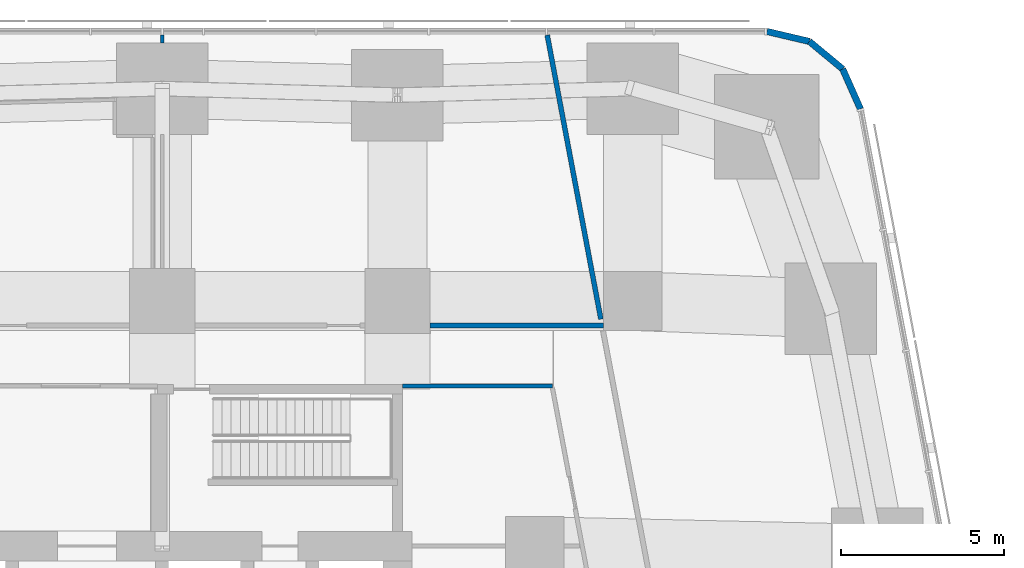
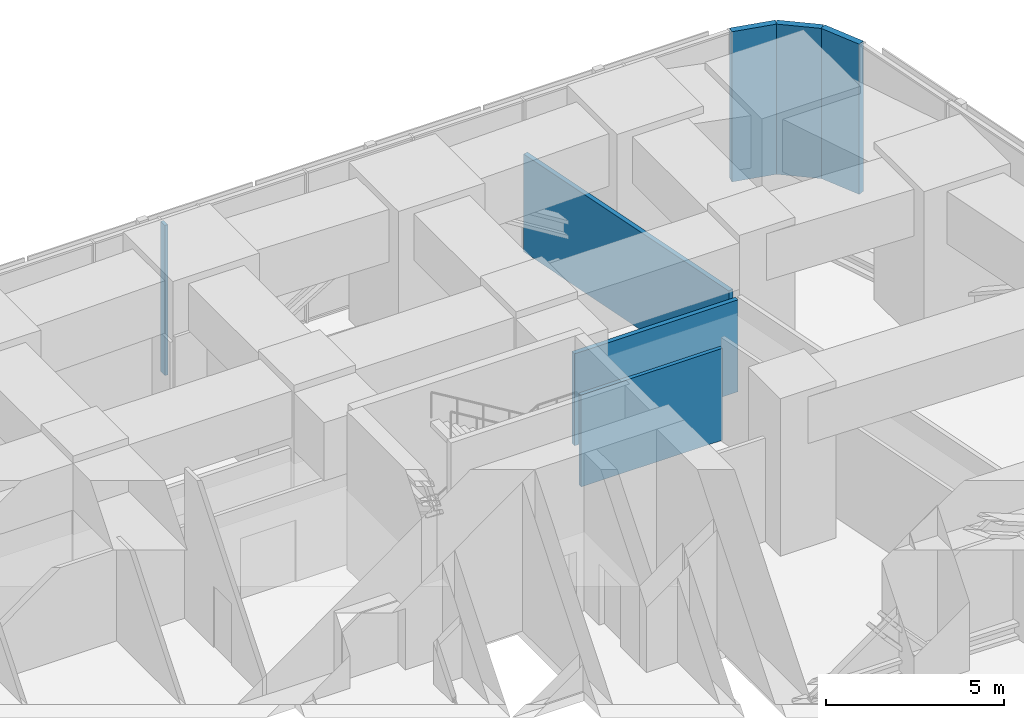
# One storey, part 17 of 20: 7 walls.
"""IFC4 building model written with IfcOpenShell, lengths in metres."""

from ifc_helpers import new_model, si_unit, direction, frame, frame_2d, origin, place, context, subcontext, project, spatial, rectangle, extrude, material, layer, layer_set, type_object, element, save


model = new_model("IFC4")

# Units and contexts
model_context = context("Model", 3, precision=1e-05, world=origin(), true_north=direction((0.0, 1.0)))
body_context = subcontext(model_context, "Body", "Model", "MODEL_VIEW")
ifc_project = project(units=[si_unit("LENGTHUNIT", "METRE"), si_unit("AREAUNIT", "SQUARE_METRE"), si_unit("VOLUMEUNIT", "CUBIC_METRE"), si_unit("PLANEANGLEUNIT", "RADIAN"), si_unit("MASSUNIT", "GRAM", prefix="KILO")], contexts=[model_context])

# Site, building, storey
site_placement = place(None, origin())
site = spatial("IfcSite", under=ifc_project, at=site_placement, CompositionType="ELEMENT")
building_placement = place(site_placement, origin())
building = spatial("IfcBuilding", under=site, at=building_placement, Name="Sheger Commons Tower", CompositionType="ELEMENT")
storey_placement = place(building_placement, frame((0.0, 0.0, 72.5)))
storey = spatial("IfcBuildingStorey", under=building, at=storey_placement, Name="L18", CompositionType="ELEMENT", Elevation=72.5)

# Walls
ifc_material_1 = material(Name="Hollow concrete block masonry, skimmed both sides", Category="masonry")
ifc_layer_1 = layer(ifc_material_1, 0.14990234375)
ifc_layer_set_1 = layer_set([ifc_layer_1], Name="CORRIDOR WALL 150")
wall_type_1 = type_object("IfcWallType", Name="CORRIDOR WALL 150", PredefinedType="SOLIDWALL", material=ifc_layer_set_1)
wall_1_placement = place(storey_placement, frame((29.801025390625, 36.75, 0.0), z_axis=(0.0, 0.0, 1.0), x_axis=(1.0, 0.0, 0.0)))
element("IfcWall", 1, at=wall_1_placement, inside=storey, type_object=wall_type_1, Name="Corridor wall L18", PredefinedType="SOLIDWALL", context=body_context, shape_type="SweptSolid", body=[
    extrude(rectangle(XDim=5.299072265625, YDim=0.14990234375, at=frame_2d((2.6494140625, 0.0))), origin(), (0.0, 0.0, 1.0), 3.14990234375),
])
wall_2_placement = place(storey_placement, frame((33.384033203125, 45.637939453125, 0.0), z_axis=(0.0, 0.0, 1.0), x_axis=(0.18557124981, -0.982630811263, 0.0)))
element("IfcWall", 2, at=wall_2_placement, inside=storey, type_object=wall_type_1, Name="Corridor wall L18", PredefinedType="SOLIDWALL", context=body_context, shape_type="SweptSolid", body=[
    extrude(rectangle(XDim=8.847412109375, YDim=0.14990234375, at=frame_2d((4.423828125, 0.0))), origin(), (0.0, 0.0, 1.0), 3.35009765625),
])
ifc_material_2 = material(Name="Rendered concrete block masonry, dark grey", Category="masonry")
ifc_layer_2 = layer(ifc_material_2, 0.199951171875)
ifc_layer_set_2 = layer_set([ifc_layer_2], Name="FACADE WALL 200")
wall_type_2 = type_object("IfcWallType", Name="FACADE WALL 200", PredefinedType="SOLIDWALL", material=ifc_layer_set_2)
wall_3_placement = place(storey_placement, frame((42.969970703125, 43.376953125, 0.0), z_axis=(0.0, 0.0, 1.0), x_axis=(-0.406002956633, 0.913871762998, 0.0)))
element("IfcWall", 3, at=wall_3_placement, inside=storey, type_object=wall_type_2, Name="Facade wall L18", PredefinedType="SOLIDWALL", context=body_context, shape_type="SweptSolid", body=[
    extrude(rectangle(XDim=1.33740234375, YDim=0.199951171875, at=frame_2d((0.668701171875, 0.0))), origin(), (0.0, 0.0, 1.0), 5.14990234375),
])
wall_4_placement = place(storey_placement, frame((42.427001953125, 44.59912109375, 0.0), z_axis=(0.0, 0.0, 1.0), x_axis=(-0.770091412544, 0.637933551655, 0.0)))
element("IfcWall", 4, at=wall_4_placement, inside=storey, type_object=wall_type_2, Name="Facade wall L18", PredefinedType="SOLIDWALL", context=body_context, shape_type="SweptSolid", body=[
    extrude(rectangle(XDim=1.324462890625, YDim=0.199951171875, at=frame_2d((0.662109375, 0.0))), origin(), (0.0, 0.0, 1.0), 5.14990234375),
])
wall_5_placement = place(storey_placement, frame((41.406982421875, 45.444091796875, 0.0), z_axis=(0.0, 0.0, 1.0), x_axis=(-0.973453091607, 0.228886606077, 0.0)))
element("IfcWall", 5, at=wall_5_placement, inside=storey, type_object=wall_type_2, Name="Facade wall L18", PredefinedType="SOLIDWALL", context=body_context, shape_type="SweptSolid", body=[
    extrude(rectangle(XDim=1.33642578125, YDim=0.199951171875, at=frame_2d((0.668212890625, 0.0))), origin(), (0.0, 0.0, 1.0), 5.14990234375),
])
ifc_material_3 = material(Name="Gypsum board on steel studs", Category="steel")
ifc_layer_3 = layer(ifc_material_3, 0.10009765625)
ifc_layer_set_3 = layer_set([ifc_layer_3], Name="PARTITION 100")
wall_type_3 = type_object("IfcWallType", Name="PARTITION 100", PredefinedType="PARTITIONING", material=ifc_layer_set_3)
wall_6_placement = place(storey_placement, frame((21.60009765625, 45.40087890625, 0.0), z_axis=(0.0, 0.0, 1.0), x_axis=(0.0, 1.0, 0.0)))
element("IfcWall", 6, at=wall_6_placement, inside=storey, type_object=wall_type_3, Name="Partition L18", PredefinedType="PARTITIONING", context=body_context, shape_type="SweptSolid", body=[
    extrude(rectangle(XDim=0.237060546875, YDim=0.10009765625, at=frame_2d((0.11865234375, 0.0))), origin(), (0.0, 0.0, 1.0), 5.14990234375),
])
ifc_material_4 = material(Name="Gypsum board on steel studs, two layers each side, fire rated", Category="steel")
ifc_layer_4 = layer(ifc_material_4, 0.125)
ifc_layer_set_4 = layer_set([ifc_layer_4], Name="SERVICE WALL 125")
wall_type_4 = type_object("IfcWallType", Name="SERVICE WALL 125", PredefinedType="PARTITIONING", material=ifc_layer_set_4)
wall_7_placement = place(storey_placement, frame((28.949951171875, 34.89990234375, 0.0), z_axis=(0.0, 0.0, 1.0), x_axis=(1.0, 0.0, 0.0)))
element("IfcWall", 7, at=wall_7_placement, inside=storey, type_object=wall_type_4, Name="Service room wall L18", PredefinedType="PARTITIONING", context=body_context, shape_type="SweptSolid", body=[
    extrude(rectangle(XDim=4.588134765625, YDim=0.125, at=frame_2d((2.2939453125, 0.0))), origin(), (0.0, 0.0, 1.0), 3.14990234375),
])

save(model, "model.ifc")
